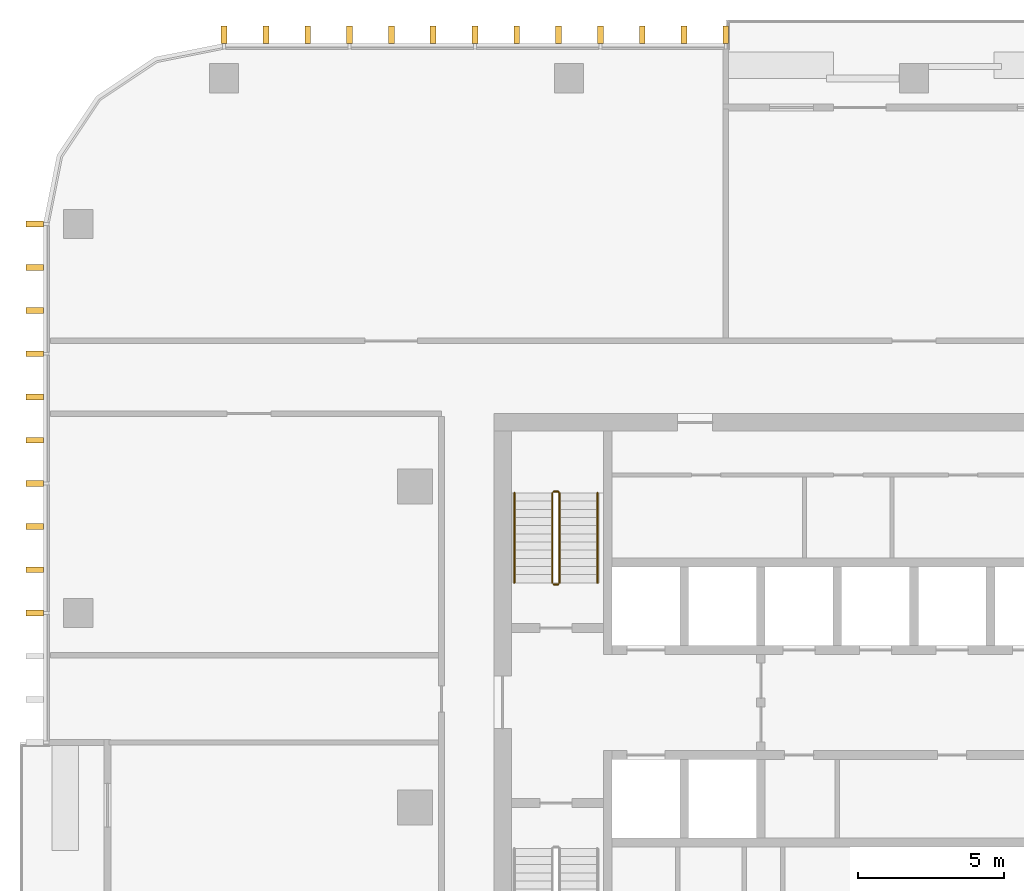
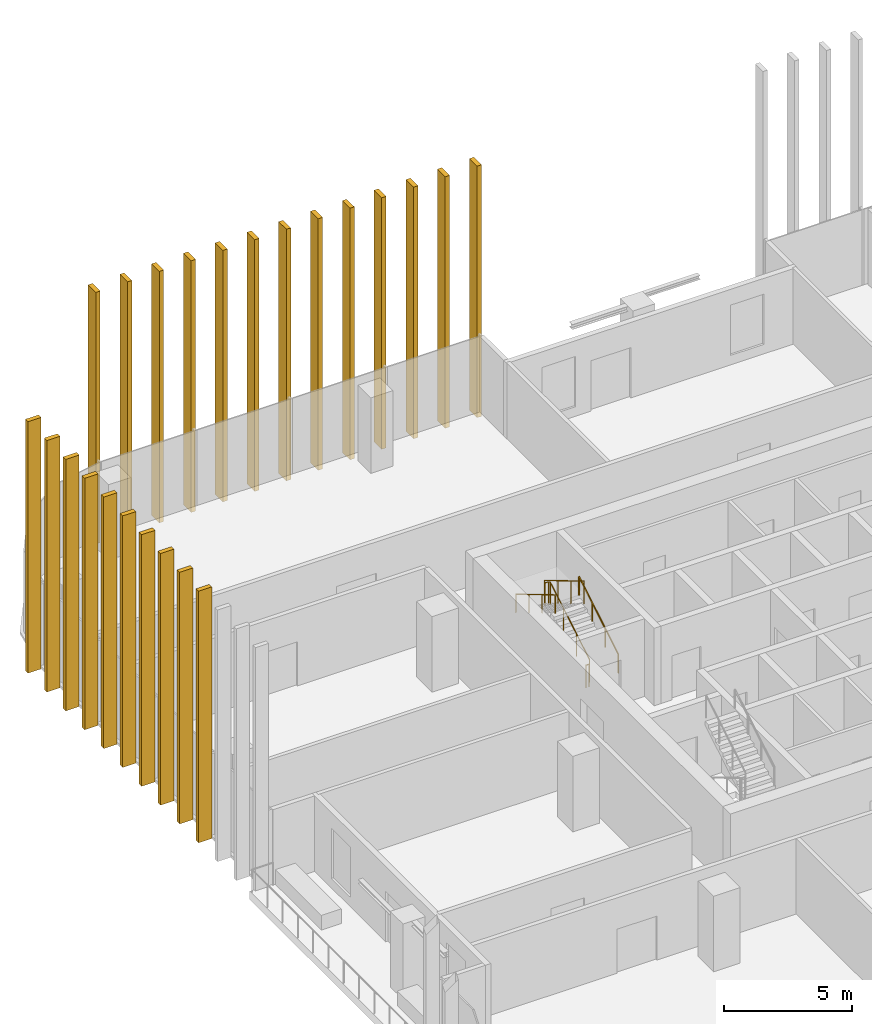
# One storey, part 14 of 16: 23 shading devices, 5 railings.
"""IFC4 building model written with IfcOpenShell, lengths in metres."""

from ifc_helpers import new_model, si_unit, direction, frame, origin, origin_2d, place, context, subcontext, project, spatial, rectangle, circle, extrude, material, type_object, element, save


model = new_model("IFC4")

# Units and contexts
model_context = context("Model", 3, precision=1e-05, world=origin(), true_north=direction((0.0, 1.0)))
body_context = subcontext(model_context, "Body", "Model", "MODEL_VIEW")
ifc_project = project(units=[si_unit("LENGTHUNIT", "METRE"), si_unit("AREAUNIT", "SQUARE_METRE"), si_unit("VOLUMEUNIT", "CUBIC_METRE"), si_unit("PLANEANGLEUNIT", "RADIAN"), si_unit("MASSUNIT", "GRAM", prefix="KILO")], contexts=[model_context])

# Site, building, storey
site_placement = place(None, origin())
site = spatial("IfcSite", under=ifc_project, at=site_placement, CompositionType="ELEMENT")
building_placement = place(site_placement, origin())
building = spatial("IfcBuilding", under=site, at=building_placement, Name="Mopane Tessera Tower", CompositionType="ELEMENT")
storey_placement = place(building_placement, frame((0.0, 0.0, 279.39990234375)))
storey = spatial("IfcBuildingStorey", under=building, at=storey_placement, Name="L60", CompositionType="ELEMENT", Elevation=279.39990234375)

# Shading devices
ifc_material_1 = material(Name="Glazed ceramic tile")
shading_device_type = type_object("IfcShadingDeviceType", Name="Ceramic tile fin 600 x 200 mm", PredefinedType="USERDEFINED", material=ifc_material_1)
for number, where, z_axis, x_axis, name in (
    (1, (-6.449951171875, 26.5, -0.39990234375), (0.0, 0.0, 1.0), (-1.0, 0.0, 0.0), "e:fin:L60:N:7:0"),
    (2, (-7.88330078125, 26.5, -0.39990234375), (0.0, 0.0, 1.0), (-1.0, 0.0, 0.0), "e:fin:L60:N:7:1"),
    (3, (-9.316650390625, 26.5, -0.39990234375), (0.0, 0.0, 1.0), (-1.0, 0.0, 0.0), "e:fin:L60:N:7:2"),
    (4, (-10.75, 26.5, -0.39990234375), (0.0, 0.0, 1.0), (-1.0, 0.0, 0.0), "e:fin:L60:N:8:0"),
    (5, (-12.183349609375, 26.5, -0.39990234375), (0.0, 0.0, 1.0), (-1.0, 0.0, 0.0), "e:fin:L60:N:8:1"),
    (6, (-13.61669921875, 26.5, -0.39990234375), (0.0, 0.0, 1.0), (-1.0, 0.0, 0.0), "e:fin:L60:N:8:2"),
    (7, (-15.050048828125, 26.5, -0.39990234375), (0.0, 0.0, 1.0), (-1.0, 0.0, 0.0), "e:fin:L60:N:9:0"),
    (8, (-16.4833984375, 26.5, -0.39990234375), (0.0, 0.0, 1.0), (-1.0, 0.0, 0.0), "e:fin:L60:N:9:1"),
    (9, (-17.916748046875, 26.5, -0.39990234375), (0.0, 0.0, 1.0), (-1.0, 0.0, 0.0), "e:fin:L60:N:9:2"),
    (10, (-19.35009765625, 26.5, -0.39990234375), (0.0, 0.0, 1.0), (-1.0, 0.0, 0.0), "e:fin:L60:N:10:0"),
    (11, (-20.783447265625, 26.5, -0.39990234375), (0.0, 0.0, 1.0), (-1.0, 0.0, 0.0), "e:fin:L60:N:10:1"),
    (12, (-22.216552734375, 26.5, -0.39990234375), (0.0, 0.0, 1.0), (-1.0, 0.0, 0.0), "e:fin:L60:N:10:2"),
    (13, (-23.64990234375, 26.5, -0.39990234375), (0.0, 0.0, 1.0), (-1.0, 0.0, 0.0), "e:fin:L60:N:10:3"),
    (14, (-30.14990234375, 20.0, -0.39990234375), (0.0, 0.0, 1.0), (0.0, -1.0, 0.0), "e:fin:L60:W:0:0"),
    (15, (-30.14990234375, 18.5185546875, -0.39990234375), (0.0, 0.0, 1.0), (0.0, -1.0, 0.0), "e:fin:L60:W:0:1"),
    (16, (-30.14990234375, 17.037109375, -0.39990234375), (0.0, 0.0, 1.0), (0.0, -1.0, 0.0), "e:fin:L60:W:0:2"),
    (17, (-30.14990234375, 15.5556640625, -0.39990234375), (0.0, 0.0, 1.0), (0.0, -1.0, 0.0), "e:fin:L60:W:1:0"),
    (18, (-30.14990234375, 14.073974609375, -0.39990234375), (0.0, 0.0, 1.0), (0.0, -1.0, 0.0), "e:fin:L60:W:1:1"),
    (19, (-30.14990234375, 12.592529296875, -0.39990234375), (0.0, 0.0, 1.0), (0.0, -1.0, 0.0), "e:fin:L60:W:1:2"),
    (20, (-30.14990234375, 11.111083984375, -0.39990234375), (0.0, 0.0, 1.0), (0.0, -1.0, 0.0), "e:fin:L60:W:2:0"),
    (21, (-30.14990234375, 9.629638671875, -0.39990234375), (0.0, 0.0, 1.0), (0.0, -1.0, 0.0), "e:fin:L60:W:2:1"),
    (22, (-30.14990234375, 8.148193359375, -0.39990234375), (0.0, 0.0, 1.0), (0.0, -1.0, 0.0), "e:fin:L60:W:2:2"),
    (23, (-30.14990234375, 6.666748046875, -0.39990234375), (0.0, 0.0, 1.0), (0.0, -1.0, 0.0), "e:fin:L60:W:3:0"),
):
    element("IfcShadingDevice", number, at=place(storey_placement, frame(where, z_axis=z_axis, x_axis=x_axis)), inside=storey, type_object=shading_device_type, Name=name, ObjectType="FIN", PredefinedType="USERDEFINED", context=body_context, shape_type="SweptSolid", body=[
        extrude(rectangle(XDim=0.199951171875, YDim=0.60009765625, at=origin_2d()), origin(), (0.0, 0.0, 1.0), 12.0),
    ])

# Railings
ifc_material_2 = material(Name="Powder-coated steel balustrade", Category="steel")
railing_type_1 = type_object("IfcRailingType", Name="Escape stair guard 1100 mm", PredefinedType="GUARDRAIL", material=ifc_material_2)
railing_1_placement = place(storey_placement, frame((-12.14990234375, 7.699951171875, 0.166748046875)))
element("IfcRailing", 24, at=railing_1_placement, inside=storey, type_object=railing_type_1, Name="L60 ST2 stair guard 1", PredefinedType="GUARDRAIL", context=body_context, shape_type="SweptSolid", body=[
    extrude(circle(Radius=0.02392578125, at=origin_2d()), frame((0.0, 0.0, 1.076171875), z_axis=(0.0, 0.859308565015, 0.511457515432), x_axis=(-1.0, 0.0, 0.0)), (0.0, 0.0, 1.0), 3.58447265625),
    extrude(circle(Radius=0.02392578125, at=origin_2d()), frame((0.0, 3.080078125, 2.9091796875), z_axis=(-0.707106781187, 0.707106781187, 0.0), x_axis=(-0.707106781187, -0.707106781187, 0.0)), (0.0, 0.0, 1.0), 0.07080078125),
    extrude(circle(Radius=0.02392578125, at=origin_2d()), frame((-0.050048828125, 3.130126953125, 2.9091796875), z_axis=(-1.0, 0.0, 0.0), x_axis=(0.0, -1.0, 0.0)), (0.0, 0.0, 1.0), 0.150146484375),
    extrude(circle(Radius=0.02099609375, at=origin_2d()), origin(), (0.0, 0.0, 1.0), 1.052001953125),
    extrude(circle(Radius=0.02099609375, at=origin_2d()), frame((0.0, 1.026611328125, 0.611083984375)), (0.0, 0.0, 1.0), 1.052001953125),
    extrude(circle(Radius=0.02099609375, at=origin_2d()), frame((0.0, 2.053466796875, 1.22216796875)), (0.0, 0.0, 1.0), 1.052001953125),
    extrude(circle(Radius=0.02099609375, at=origin_2d()), frame((0.0, 3.080078125, 1.833251953125)), (0.0, 0.0, 1.0), 1.052001953125),
    extrude(circle(Radius=0.02099609375, at=origin_2d()), frame((-0.050048828125, 3.130126953125, 1.833251953125)), (0.0, 0.0, 1.0), 1.052001953125),
    extrude(circle(Radius=0.02099609375, at=origin_2d()), frame((-0.2001953125, 3.130126953125, 1.833251953125)), (0.0, 0.0, 1.0), 1.052001953125),
])
railing_2_placement = place(storey_placement, frame((-12.39990234375, 10.780029296875, 2.166748046875)))
element("IfcRailing", 25, at=railing_2_placement, inside=storey, type_object=railing_type_1, Name="L60 ST2 stair guard 2", PredefinedType="GUARDRAIL", context=body_context, shape_type="SweptSolid", body=[
    extrude(circle(Radius=0.02392578125, at=origin_2d()), frame((0.0, 0.0, 1.076171875), z_axis=(0.0, -0.859308565015, 0.511457515432), x_axis=(1.0, 0.0, 0.0)), (0.0, 0.0, 1.0), 3.58447265625),
    extrude(circle(Radius=0.02099609375, at=origin_2d()), origin(), (0.0, 0.0, 1.0), 1.052001953125),
    extrude(circle(Radius=0.02099609375, at=origin_2d()), frame((0.0, -1.026611328125, 0.611083984375)), (0.0, 0.0, 1.0), 1.052001953125),
    extrude(circle(Radius=0.02099609375, at=origin_2d()), frame((0.0, -2.053466796875, 1.22216796875)), (0.0, 0.0, 1.0), 1.052001953125),
    extrude(circle(Radius=0.02099609375, at=origin_2d()), frame((0.0, -3.080078125, 1.833251953125)), (0.0, 0.0, 1.0), 1.052001953125),
])
railing_3_placement = place(storey_placement, frame((-12.199951171875, 7.64990234375, 0.0)))
element("IfcRailing", 26, at=railing_3_placement, inside=storey, type_object=railing_type_1, Name="L60 ST2 stair guard 3", PredefinedType="GUARDRAIL", context=body_context, shape_type="SweptSolid", body=[
    extrude(circle(Radius=0.02392578125, at=origin_2d()), frame((0.0, 0.0, 1.076171875), z_axis=(-1.0, 0.0, 0.0), x_axis=(0.0, -1.0, 0.0)), (0.0, 0.0, 1.0), 0.150146484375),
    extrude(circle(Radius=0.02099609375, at=origin_2d()), origin(), (0.0, 0.0, 1.0), 1.052001953125),
    extrude(circle(Radius=0.02099609375, at=origin_2d()), frame((-0.150146484375, 0.0, 0.0)), (0.0, 0.0, 1.0), 1.052001953125),
])
ifc_material_3 = material(Name="Powder-coated steel balustrade", Category="steel")
railing_type_2 = type_object("IfcRailingType", Name="Escape stair handrail 900 mm", PredefinedType="HANDRAIL", material=ifc_material_3)
railing_4_placement = place(storey_placement, frame((-10.85009765625, 7.699951171875, 0.166748046875)))
element("IfcRailing", 27, at=railing_4_placement, inside=storey, type_object=railing_type_2, Name="L60 ST2 stair handrail 1", PredefinedType="HANDRAIL", context=body_context, shape_type="SweptSolid", body=[
    extrude(circle(Radius=0.02392578125, at=origin_2d()), frame((0.0, 0.0, 0.8759765625), z_axis=(0.0, 0.859308565015, 0.511457515432), x_axis=(-1.0, 0.0, 0.0)), (0.0, 0.0, 1.0), 3.58447265625),
    extrude(circle(Radius=0.02099609375, at=origin_2d()), origin(), (0.0, 0.0, 1.0), 0.851806640625),
    extrude(circle(Radius=0.02099609375, at=origin_2d()), frame((0.0, 1.026611328125, 0.611083984375)), (0.0, 0.0, 1.0), 0.851806640625),
    extrude(circle(Radius=0.02099609375, at=origin_2d()), frame((0.0, 2.053466796875, 1.22216796875)), (0.0, 0.0, 1.0), 0.851806640625),
    extrude(circle(Radius=0.02099609375, at=origin_2d()), frame((0.0, 3.080078125, 1.833251953125)), (0.0, 0.0, 1.0), 0.851806640625),
])
railing_5_placement = place(storey_placement, frame((-13.699951171875, 10.780029296875, 2.166748046875)))
element("IfcRailing", 28, at=railing_5_placement, inside=storey, type_object=railing_type_2, Name="L60 ST2 stair handrail 2", PredefinedType="HANDRAIL", context=body_context, shape_type="SweptSolid", body=[
    extrude(circle(Radius=0.02392578125, at=origin_2d()), frame((0.0, 0.0, 0.8759765625), z_axis=(0.0, -0.859308565015, 0.511457515432), x_axis=(1.0, 0.0, 0.0)), (0.0, 0.0, 1.0), 3.58447265625),
    extrude(circle(Radius=0.02099609375, at=origin_2d()), origin(), (0.0, 0.0, 1.0), 0.851806640625),
    extrude(circle(Radius=0.02099609375, at=origin_2d()), frame((0.0, -1.026611328125, 0.611083984375)), (0.0, 0.0, 1.0), 0.851806640625),
    extrude(circle(Radius=0.02099609375, at=origin_2d()), frame((0.0, -2.053466796875, 1.22216796875)), (0.0, 0.0, 1.0), 0.851806640625),
    extrude(circle(Radius=0.02099609375, at=origin_2d()), frame((0.0, -3.080078125, 1.833251953125)), (0.0, 0.0, 1.0), 0.851806640625),
])

save(model, "model.ifc")
